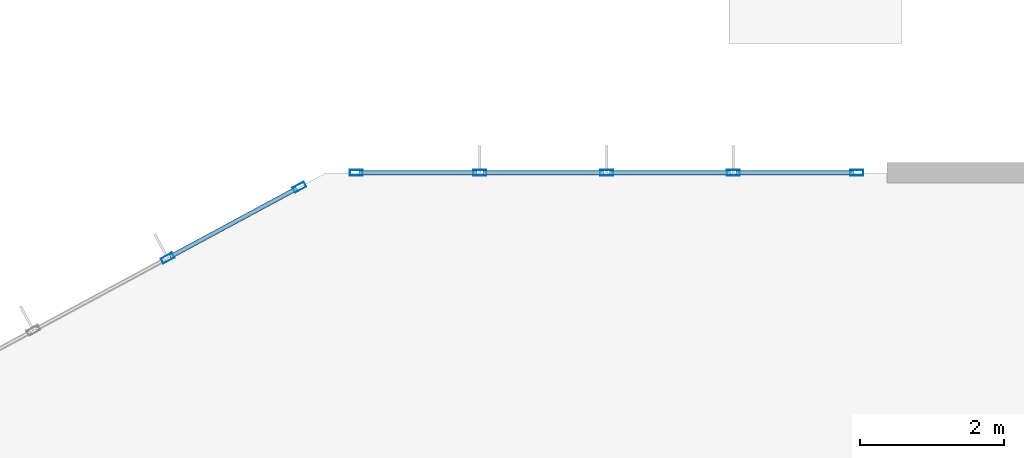
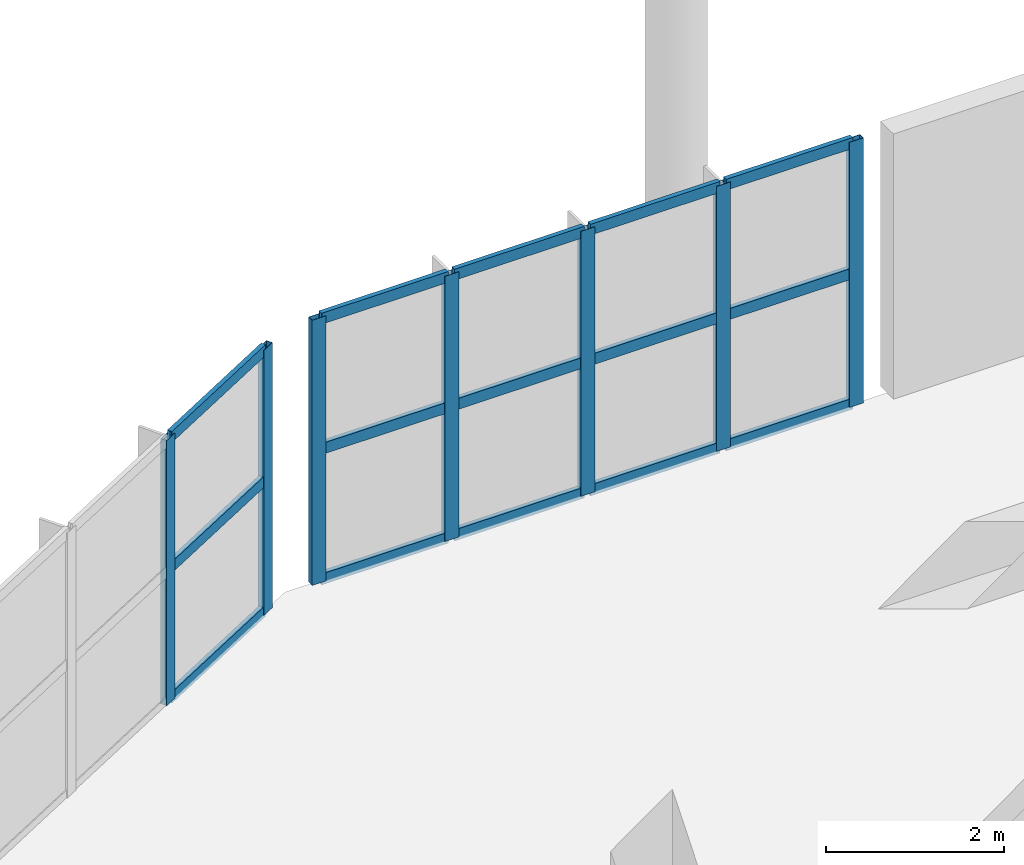
# One storey, part 33 of 139: 22 members, 2 elements without a shape of their own.
"""IFC4 building model written with IfcOpenShell, lengths in metres."""

from ifc_helpers import new_model, si_unit, direction, frame, origin, origin_2d, place, context, subcontext, project, spatial, hollow_rectangle, extrude, material, layer, layer_set, material_profile, profile_set, type_object, element, aggregate, save


model = new_model("IFC4")

# Units and contexts
model_context = context("Model", 3, precision=1e-05, world=origin(), true_north=direction((0.0, 1.0)))
body_context = subcontext(model_context, "Body", "Model", "MODEL_VIEW")
ifc_project = project(units=[si_unit("LENGTHUNIT", "METRE"), si_unit("AREAUNIT", "SQUARE_METRE"), si_unit("VOLUMEUNIT", "CUBIC_METRE"), si_unit("PLANEANGLEUNIT", "RADIAN"), si_unit("MASSUNIT", "GRAM", prefix="KILO")], contexts=[model_context])

# Site, building, storey
site_placement = place(None, origin())
site = spatial("IfcSite", under=ifc_project, at=site_placement, CompositionType="ELEMENT")
building_placement = place(site_placement, origin())
building = spatial("IfcBuilding", under=site, at=building_placement, Name="Zizhar Promenade General Hospital", CompositionType="ELEMENT")
storey_placement = place(building_placement, origin())
storey = spatial("IfcBuildingStorey", under=building, at=storey_placement, Name="L00", CompositionType="ELEMENT", Elevation=0.0)

# Curtain wall, members
ifc_material_1 = material(Name="Anodised aluminium 6063-T6 and low-E glass", Category="aluminium")
ifc_layer = layer(ifc_material_1, 0.159912109375)
ifc_layer_set = layer_set([ifc_layer], Name="Anodised aluminium 6063-T6 and low-E glass")
curtain_wall_type = type_object("IfcCurtainWallType", Name="CW-DT-MOD2", PredefinedType="NOTDEFINED", material=ifc_layer_set)
curtain_wall_1_placement = place(storey_placement, origin())
curtain_wall_1 = element("IfcCurtainWall", 1, at=curtain_wall_1_placement, inside=storey, type_object=curtain_wall_type, Name="West Diagnostic Arm Glazed Curtain Wall L00-NW3", PredefinedType="NOTDEFINED")
ifc_material_2 = material(Name="Anodised aluminium 6063-T6", Category="aluminium")
ifc_material_profile_1 = material_profile(ifc_material_2, hollow_rectangle(XDim=0.080078125, YDim=0.179931640625, WallThickness=0.0048828125, at=origin_2d()))
ifc_profile_set_1 = profile_set([ifc_material_profile_1], Name="Anodised aluminium 6063-T6")
member_type_1 = type_object("IfcMemberType", Name="CWM-ALU-180x80", PredefinedType="MULLION", material=ifc_profile_set_1)
member_1_placement = place(storey_placement, frame((28.9990234375, 82.81494140625, 0.0), z_axis=(0.0, 0.0, 1.0), x_axis=(-0.474097009774, 0.880472614749, 0.0)))
member_1 = element("IfcMember", 2, at=member_1_placement, type_object=member_type_1, Name="CW-08 mullion 8", PredefinedType="MULLION", context=body_context, shape_type="SweptSolid", body=[
    extrude(hollow_rectangle(XDim=0.080078125, YDim=0.179931640625, WallThickness=0.0048828125, at=origin_2d()), origin(), (0.0, 0.0, 1.0), 3.6298828125),
])
member_2_placement = place(storey_placement, frame((30.830078125, 83.80078125, 0.0), z_axis=(0.0, 0.0, 1.0), x_axis=(-0.474097009774, 0.880472614749, 0.0)))
member_2 = element("IfcMember", 3, at=member_2_placement, type_object=member_type_1, Name="CW-08 mullion 9", PredefinedType="MULLION", context=body_context, shape_type="SweptSolid", body=[
    extrude(hollow_rectangle(XDim=0.080078125, YDim=0.179931640625, WallThickness=0.0048828125, at=origin_2d()), origin(), (0.0, 0.0, 1.0), 3.6298828125),
])

curtain_wall_2_placement = place(storey_placement, origin())
curtain_wall_2 = element("IfcCurtainWall", 4, at=curtain_wall_2_placement, inside=storey, type_object=curtain_wall_type, Name="West Diagnostic Arm Glazed Curtain Wall L00-N1", PredefinedType="NOTDEFINED")
member_3_placement = place(storey_placement, frame((31.6201171875, 84.0, 0.0), z_axis=(0.0, 0.0, 1.0), x_axis=(0.0, 1.0, 0.0)))
member_3 = element("IfcMember", 5, at=member_3_placement, type_object=member_type_1, Name="CW-08 mullion 1", PredefinedType="MULLION", context=body_context, shape_type="SweptSolid", body=[
    extrude(hollow_rectangle(XDim=0.080078125, YDim=0.179931640625, WallThickness=0.0048828125, at=origin_2d()), origin(), (0.0, 0.0, 1.0), 3.6298828125),
])
member_4_placement = place(storey_placement, frame((33.340087890625, 84.0, 0.0), z_axis=(0.0, 0.0, 1.0), x_axis=(0.0, 1.0, 0.0)))
member_4 = element("IfcMember", 6, at=member_4_placement, type_object=member_type_1, Name="CW-08 mullion 2", PredefinedType="MULLION", context=body_context, shape_type="SweptSolid", body=[
    extrude(hollow_rectangle(XDim=0.080078125, YDim=0.179931640625, WallThickness=0.0048828125, at=origin_2d()), origin(), (0.0, 0.0, 1.0), 3.6298828125),
])
member_5_placement = place(storey_placement, frame((35.10009765625, 84.0, 0.0), z_axis=(0.0, 0.0, 1.0), x_axis=(0.0, 1.0, 0.0)))
member_5 = element("IfcMember", 7, at=member_5_placement, type_object=member_type_1, Name="CW-08 mullion 3", PredefinedType="MULLION", context=body_context, shape_type="SweptSolid", body=[
    extrude(hollow_rectangle(XDim=0.080078125, YDim=0.179931640625, WallThickness=0.0048828125, at=origin_2d()), origin(), (0.0, 0.0, 1.0), 3.6298828125),
])
member_6_placement = place(storey_placement, frame((36.860107421875, 84.0, 0.0), z_axis=(0.0, 0.0, 1.0), x_axis=(0.0, 1.0, 0.0)))
member_6 = element("IfcMember", 8, at=member_6_placement, type_object=member_type_1, Name="CW-08 mullion 4", PredefinedType="MULLION", context=body_context, shape_type="SweptSolid", body=[
    extrude(hollow_rectangle(XDim=0.080078125, YDim=0.179931640625, WallThickness=0.0048828125, at=origin_2d()), origin(), (0.0, 0.0, 1.0), 3.6298828125),
])
member_7_placement = place(storey_placement, frame((38.580078125, 84.0, 0.0), z_axis=(0.0, 0.0, 1.0), x_axis=(0.0, 1.0, 0.0)))
member_7 = element("IfcMember", 9, at=member_7_placement, type_object=member_type_1, Name="CW-08 mullion 5", PredefinedType="MULLION", context=body_context, shape_type="SweptSolid", body=[
    extrude(hollow_rectangle(XDim=0.080078125, YDim=0.179931640625, WallThickness=0.0048828125, at=origin_2d()), origin(), (0.0, 0.0, 1.0), 3.6298828125),
])

# Member
ifc_material_3 = material(Name="Anodised aluminium 6063-T6", Category="aluminium")
ifc_material_profile_2 = material_profile(ifc_material_3, hollow_rectangle(XDim=0.06005859375, YDim=0.14990234375, WallThickness=0.00390625, at=origin_2d()))
ifc_profile_set_2 = profile_set([ifc_material_profile_2], Name="Anodised aluminium 6063-T6")
member_type_2 = type_object("IfcMemberType", Name="CWT-ALU-150x60", PredefinedType="USERDEFINED", material=ifc_profile_set_2)
member_8_placement = place(storey_placement, frame((29.0341796875, 82.833740234375, 0.030029296875), z_axis=(0.88043973804, 0.474158061917, 0.0), x_axis=(-0.474158061917, 0.88043973804, 0.0)))
member_8 = element("IfcMember", 10, at=member_8_placement, type_object=member_type_2, Name="CW-08 transom 8.1", ObjectType="TRANSOM", PredefinedType="USERDEFINED", context=body_context, shape_type="SweptSolid", body=[
    extrude(hollow_rectangle(XDim=0.06005859375, YDim=0.14990234375, WallThickness=0.00390625, at=origin_2d()), origin(), (0.0, 0.0, 1.0), 1.999755859375),
])

member_9_placement = place(storey_placement, frame((29.0341796875, 82.833740234375, 1.81494140625), z_axis=(0.88043973804, 0.474158061917, 0.0), x_axis=(-0.474158061917, 0.88043973804, 0.0)))
member_9 = element("IfcMember", 11, at=member_9_placement, type_object=member_type_2, Name="CW-08 transom 8.2", ObjectType="TRANSOM", PredefinedType="USERDEFINED", context=body_context, shape_type="SweptSolid", body=[
    extrude(hollow_rectangle(XDim=0.06005859375, YDim=0.14990234375, WallThickness=0.00390625, at=origin_2d()), origin(), (0.0, 0.0, 1.0), 1.999755859375),
])

member_10_placement = place(storey_placement, frame((29.0341796875, 82.833740234375, 3.60009765625), z_axis=(0.88043973804, 0.474158061917, 0.0), x_axis=(-0.474158061917, 0.88043973804, 0.0)))
member_10 = element("IfcMember", 12, at=member_10_placement, type_object=member_type_2, Name="CW-08 transom 8.3", ObjectType="TRANSOM", PredefinedType="USERDEFINED", context=body_context, shape_type="SweptSolid", body=[
    extrude(hollow_rectangle(XDim=0.06005859375, YDim=0.14990234375, WallThickness=0.00390625, at=origin_2d()), origin(), (0.0, 0.0, 1.0), 1.999755859375),
])

aggregate(curtain_wall_1, [member_1, member_2, member_8, member_9, member_10])

member_11_placement = place(storey_placement, frame((31.659912109375, 84.0, 0.030029296875), z_axis=(1.0, 0.0, 0.0), x_axis=(0.0, 1.0, 0.0)))
member_11 = element("IfcMember", 13, at=member_11_placement, type_object=member_type_2, Name="CW-08 transom 1.1", ObjectType="TRANSOM", PredefinedType="USERDEFINED", context=body_context, shape_type="SweptSolid", body=[
    extrude(hollow_rectangle(XDim=0.06005859375, YDim=0.14990234375, WallThickness=0.00390625, at=origin_2d()), origin(), (0.0, 0.0, 1.0), 1.64013671875),
])

member_12_placement = place(storey_placement, frame((31.659912109375, 84.0, 1.81494140625), z_axis=(1.0, 0.0, 0.0), x_axis=(0.0, 1.0, 0.0)))
member_12 = element("IfcMember", 14, at=member_12_placement, type_object=member_type_2, Name="CW-08 transom 1.2", ObjectType="TRANSOM", PredefinedType="USERDEFINED", context=body_context, shape_type="SweptSolid", body=[
    extrude(hollow_rectangle(XDim=0.06005859375, YDim=0.14990234375, WallThickness=0.00390625, at=origin_2d()), origin(), (0.0, 0.0, 1.0), 1.64013671875),
])

member_13_placement = place(storey_placement, frame((31.659912109375, 84.0, 3.60009765625), z_axis=(1.0, 0.0, 0.0), x_axis=(0.0, 1.0, 0.0)))
member_13 = element("IfcMember", 15, at=member_13_placement, type_object=member_type_2, Name="CW-08 transom 1.3", ObjectType="TRANSOM", PredefinedType="USERDEFINED", context=body_context, shape_type="SweptSolid", body=[
    extrude(hollow_rectangle(XDim=0.06005859375, YDim=0.14990234375, WallThickness=0.00390625, at=origin_2d()), origin(), (0.0, 0.0, 1.0), 1.64013671875),
])

member_14_placement = place(storey_placement, frame((33.3798828125, 84.0, 0.030029296875), z_axis=(1.0, 0.0, 0.0), x_axis=(0.0, 1.0, 0.0)))
member_14 = element("IfcMember", 16, at=member_14_placement, type_object=member_type_2, Name="CW-08 transom 2.1", ObjectType="TRANSOM", PredefinedType="USERDEFINED", context=body_context, shape_type="SweptSolid", body=[
    extrude(hollow_rectangle(XDim=0.06005859375, YDim=0.14990234375, WallThickness=0.00390625, at=origin_2d()), origin(), (0.0, 0.0, 1.0), 1.68017578125),
])

member_15_placement = place(storey_placement, frame((33.3798828125, 84.0, 1.81494140625), z_axis=(1.0, 0.0, 0.0), x_axis=(0.0, 1.0, 0.0)))
member_15 = element("IfcMember", 17, at=member_15_placement, type_object=member_type_2, Name="CW-08 transom 2.2", ObjectType="TRANSOM", PredefinedType="USERDEFINED", context=body_context, shape_type="SweptSolid", body=[
    extrude(hollow_rectangle(XDim=0.06005859375, YDim=0.14990234375, WallThickness=0.00390625, at=origin_2d()), origin(), (0.0, 0.0, 1.0), 1.68017578125),
])

member_16_placement = place(storey_placement, frame((33.3798828125, 84.0, 3.60009765625), z_axis=(1.0, 0.0, 0.0), x_axis=(0.0, 1.0, 0.0)))
member_16 = element("IfcMember", 18, at=member_16_placement, type_object=member_type_2, Name="CW-08 transom 2.3", ObjectType="TRANSOM", PredefinedType="USERDEFINED", context=body_context, shape_type="SweptSolid", body=[
    extrude(hollow_rectangle(XDim=0.06005859375, YDim=0.14990234375, WallThickness=0.00390625, at=origin_2d()), origin(), (0.0, 0.0, 1.0), 1.68017578125),
])

member_17_placement = place(storey_placement, frame((35.139892578125, 84.0, 0.030029296875), z_axis=(1.0, 0.0, 0.0), x_axis=(0.0, 1.0, 0.0)))
member_17 = element("IfcMember", 19, at=member_17_placement, type_object=member_type_2, Name="CW-08 transom 3.1", ObjectType="TRANSOM", PredefinedType="USERDEFINED", context=body_context, shape_type="SweptSolid", body=[
    extrude(hollow_rectangle(XDim=0.06005859375, YDim=0.14990234375, WallThickness=0.00390625, at=origin_2d()), origin(), (0.0, 0.0, 1.0), 1.68017578125),
])

member_18_placement = place(storey_placement, frame((35.139892578125, 84.0, 1.81494140625), z_axis=(1.0, 0.0, 0.0), x_axis=(0.0, 1.0, 0.0)))
member_18 = element("IfcMember", 20, at=member_18_placement, type_object=member_type_2, Name="CW-08 transom 3.2", ObjectType="TRANSOM", PredefinedType="USERDEFINED", context=body_context, shape_type="SweptSolid", body=[
    extrude(hollow_rectangle(XDim=0.06005859375, YDim=0.14990234375, WallThickness=0.00390625, at=origin_2d()), origin(), (0.0, 0.0, 1.0), 1.68017578125),
])

member_19_placement = place(storey_placement, frame((35.139892578125, 84.0, 3.60009765625), z_axis=(1.0, 0.0, 0.0), x_axis=(0.0, 1.0, 0.0)))
member_19 = element("IfcMember", 21, at=member_19_placement, type_object=member_type_2, Name="CW-08 transom 3.3", ObjectType="TRANSOM", PredefinedType="USERDEFINED", context=body_context, shape_type="SweptSolid", body=[
    extrude(hollow_rectangle(XDim=0.06005859375, YDim=0.14990234375, WallThickness=0.00390625, at=origin_2d()), origin(), (0.0, 0.0, 1.0), 1.68017578125),
])

member_20_placement = place(storey_placement, frame((36.89990234375, 84.0, 0.030029296875), z_axis=(1.0, 0.0, 0.0), x_axis=(0.0, 1.0, 0.0)))
member_20 = element("IfcMember", 22, at=member_20_placement, type_object=member_type_2, Name="CW-08 transom 4.1", ObjectType="TRANSOM", PredefinedType="USERDEFINED", context=body_context, shape_type="SweptSolid", body=[
    extrude(hollow_rectangle(XDim=0.06005859375, YDim=0.14990234375, WallThickness=0.00390625, at=origin_2d()), origin(), (0.0, 0.0, 1.0), 1.64013671875),
])

member_21_placement = place(storey_placement, frame((36.89990234375, 84.0, 1.81494140625), z_axis=(1.0, 0.0, 0.0), x_axis=(0.0, 1.0, 0.0)))
member_21 = element("IfcMember", 23, at=member_21_placement, type_object=member_type_2, Name="CW-08 transom 4.2", ObjectType="TRANSOM", PredefinedType="USERDEFINED", context=body_context, shape_type="SweptSolid", body=[
    extrude(hollow_rectangle(XDim=0.06005859375, YDim=0.14990234375, WallThickness=0.00390625, at=origin_2d()), origin(), (0.0, 0.0, 1.0), 1.64013671875),
])

member_22_placement = place(storey_placement, frame((36.89990234375, 84.0, 3.60009765625), z_axis=(1.0, 0.0, 0.0), x_axis=(0.0, 1.0, 0.0)))
member_22 = element("IfcMember", 24, at=member_22_placement, type_object=member_type_2, Name="CW-08 transom 4.3", ObjectType="TRANSOM", PredefinedType="USERDEFINED", context=body_context, shape_type="SweptSolid", body=[
    extrude(hollow_rectangle(XDim=0.06005859375, YDim=0.14990234375, WallThickness=0.00390625, at=origin_2d()), origin(), (0.0, 0.0, 1.0), 1.64013671875),
])

aggregate(curtain_wall_2, [member_3, member_4, member_5, member_6, member_7, member_11, member_12, member_13, member_14, member_15, member_16, member_17, member_18, member_19, member_20, member_21, member_22])

save(model, "model.ifc")
